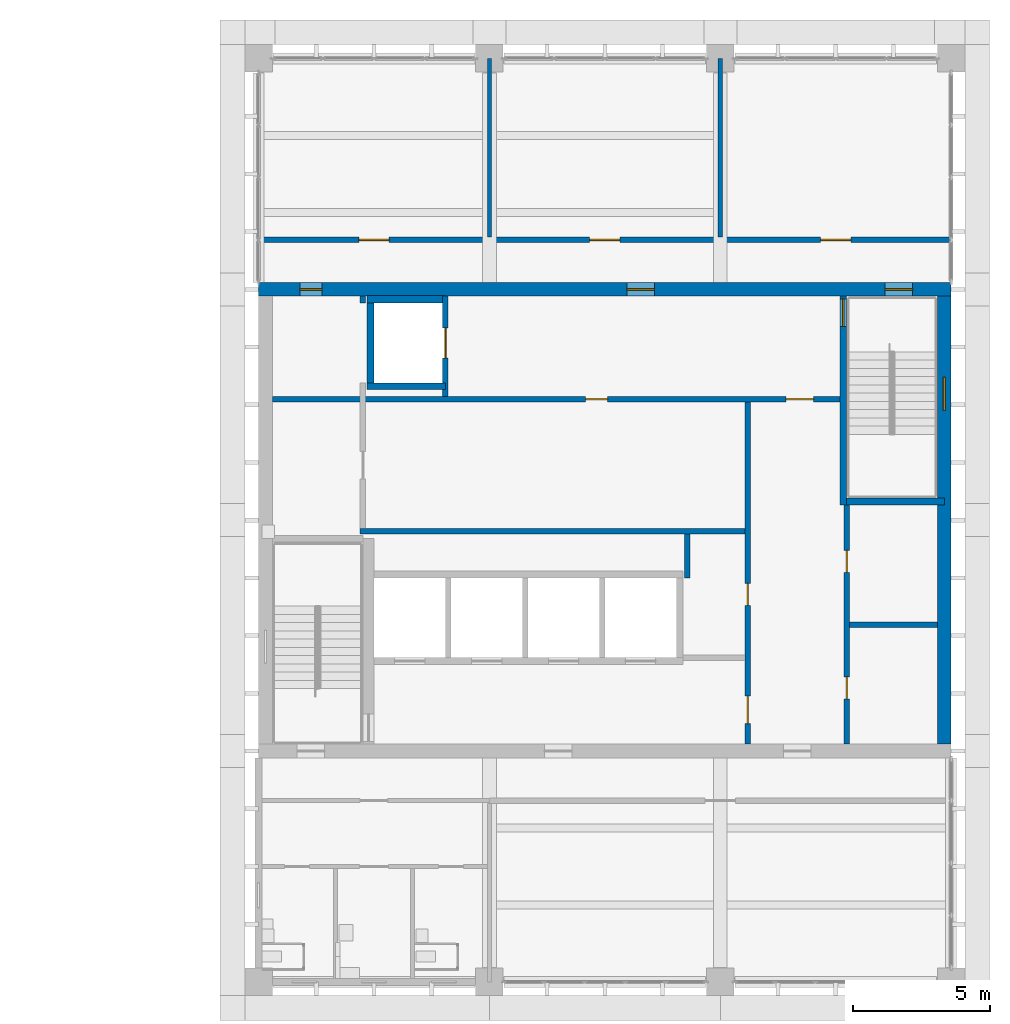
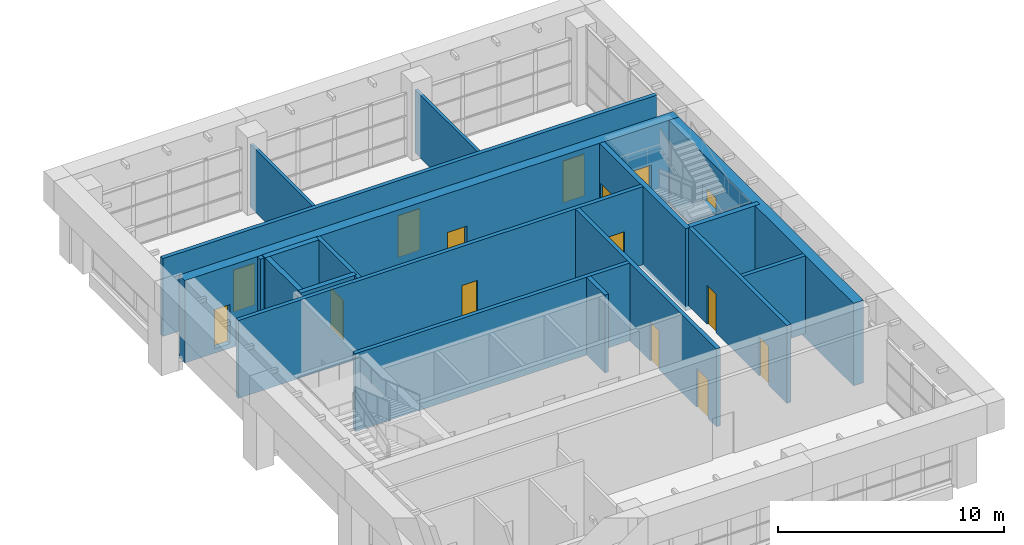
# One storey, part 30 of 56: 18 walls, 14 doors, 1 window, 15 openings.
"""IFC4 building model written with IfcOpenShell, lengths in metres."""

import ifcopenshell
import ifcopenshell.guid

model = None  # the IFC model being written
_history = None  # IfcOwnerHistory: only IFC2X3 demands one
_inside = {}  # id of a spatial element -> (the spatial element, [elements in it])
_under = {}  # id of a project, library or spatial element -> (it, [spatial elements below it])
_declared = {}  # id of a project -> (the project, [libraries it declares])
_typed = {}  # id of a type object -> (the type object, [elements of that type])
_made_of = {}  # id of a material, layer set ... -> (it, [elements and type objects made of it])


def new_model(schema):
    """Start an empty IFC model of exactly this schema.

    Asked for "IFC4X3", IfcOpenShell would pick the latest addendum, in which some entities
    have other attributes; the version numbers below select the first issue.
    IFC2X3 requires an IfcOwnerHistory on every rooted entity: one is made here for all.
    """
    global model, _history
    if schema == "IFC4X3":
        model = ifcopenshell.file(schema_version=(4, 3, 0, 0))
    else:
        model = ifcopenshell.file(schema=schema)
    _inside.clear()
    _under.clear()
    _declared.clear()
    _typed.clear()
    _made_of.clear()
    _history = None
    if model.schema == "IFC2X3":
        org = make("IfcOrganization", Name="unknown")
        user = make(
            "IfcPersonAndOrganization",
            ThePerson=make("IfcPerson", FamilyName="unknown"),
            TheOrganization=org,
        )
        app = make(
            "IfcApplication",
            ApplicationDeveloper=org,
            Version="unknown",
            ApplicationFullName="unknown",
            ApplicationIdentifier="unknown",
        )
        _history = make(
            "IfcOwnerHistory",
            OwningUser=user,
            OwningApplication=app,
            ChangeAction="ADDED",
            CreationDate=0,
        )
    return model


def make(cls, **values):
    """One entity of the class cls with the attributes given. An attribute that is None is left unset."""
    return model.create_entity(
        cls, **{name: value for name, value in values.items() if value is not None}
    )


def rooted(cls, **values):
    """An entity with a GlobalId (a new one), such as an element, a storey or a relation."""
    return make(cls, GlobalId=ifcopenshell.guid.new(), OwnerHistory=_history, **values)


def si_unit(unit_type, name, prefix=None):
    """IfcSIUnit, for example si_unit("LENGTHUNIT", "METRE", prefix="MILLI")."""
    return make("IfcSIUnit", UnitType=unit_type, Prefix=prefix, Name=name)


def assignment(units):
    """IfcUnitAssignment: the units of a project."""
    return None if units is None else make("IfcUnitAssignment", Units=units)


def point(xyz):
    """IfcCartesianPoint."""
    return None if xyz is None else make("IfcCartesianPoint", Coordinates=xyz)


def direction(xyz):
    """IfcDirection."""
    return None if xyz is None else make("IfcDirection", DirectionRatios=xyz)


def frame(location, z_axis=None, x_axis=None):
    """IfcAxis2Placement3D, a coordinate frame: its origin and axes. An axis left out is left unset."""
    return make(
        "IfcAxis2Placement3D",
        Location=point(location),
        Axis=direction(z_axis),
        RefDirection=direction(x_axis),
    )


def frame_2d(location, x_axis=None):
    """IfcAxis2Placement2D, a coordinate frame in the plane: its origin and x axis."""
    return make(
        "IfcAxis2Placement2D", Location=point(location), RefDirection=direction(x_axis)
    )


def origin():
    """The frame at (0, 0, 0) with its axes left unset."""
    return frame((0.0, 0.0, 0.0))


def place(relative_to, where):
    """IfcLocalPlacement: puts the frame where relative to a parent placement (None: the world)."""
    return make(
        "IfcLocalPlacement", PlacementRelTo=relative_to, RelativePlacement=where
    )


def context(
    kind, dimensions, precision=None, world=None, true_north=None, identifier=None
):
    """IfcGeometricRepresentationContext, for example the 3D "Model" context."""
    return make(
        "IfcGeometricRepresentationContext",
        ContextIdentifier=identifier,
        ContextType=kind,
        CoordinateSpaceDimension=dimensions,
        Precision=precision,
        WorldCoordinateSystem=world,
        TrueNorth=true_north,
    )


def subcontext(parent, identifier, kind, view, scale=None):
    """IfcGeometricRepresentationSubContext, for example "Body" below "Model"."""
    return make(
        "IfcGeometricRepresentationSubContext",
        ContextIdentifier=identifier,
        ContextType=kind,
        ParentContext=parent,
        TargetScale=scale,
        TargetView=view,
    )


def project(units=None, contexts=None):
    """IfcProject with its units and contexts."""
    return rooted(
        "IfcProject",
        Name="project",
        RepresentationContexts=contexts,
        UnitsInContext=assignment(units),
    )


def spatial(cls, under=None, at=None, **own):
    """A site, building, storey or space (cls), placed at a placement, below another one or the project."""
    s = rooted(cls, ObjectPlacement=at, **own)
    if under is not None:
        _under.setdefault(under.id(), (under, []))[1].append(s)
    return s


def profile(cls, at=None, kind="AREA", **sizes):
    """A parametric profile (cls). Its sizes go by their IFC names, for example OverallWidth=200.0."""
    return make(cls, ProfileType=kind, Position=at, **sizes)


def rectangle(**sizes):
    """IfcRectangleProfileDef."""
    return profile("IfcRectangleProfileDef", **sizes)


def extrude(swept, where, along, depth):
    """IfcExtrudedAreaSolid: the profile swept, set in the frame where, extruded along a direction by depth."""
    return make(
        "IfcExtrudedAreaSolid",
        SweptArea=swept,
        Position=where,
        ExtrudedDirection=direction(along),
        Depth=depth,
    )


def shape(context_of_items, identifier, shape_type, items):
    """IfcShapeRepresentation: the items that make up one representation, for example the "Body"."""
    return make(
        "IfcShapeRepresentation",
        ContextOfItems=context_of_items,
        RepresentationIdentifier=identifier,
        RepresentationType=shape_type,
        Items=items,
    )


def material(Name=None, Category=None):
    """IfcMaterial."""
    return make("IfcMaterial", Name=Name, Category=Category)


def layer(
    of_material, thickness, ventilated=None, Name=None, Category=None, Priority=None
):
    """IfcMaterialLayer: one layer of a wall or slab, of a material (None: an air gap)."""
    return make(
        "IfcMaterialLayer",
        Material=of_material,
        LayerThickness=thickness,
        IsVentilated=ventilated,
        Name=Name,
        Category=Category,
        Priority=Priority,
    )


def layer_set(layers, Name=None):
    """IfcMaterialLayerSet."""
    return make("IfcMaterialLayerSet", MaterialLayers=layers, LayerSetName=Name)


def made_of(thing, what):
    """Note that an element or type object is made of a material, layer set ...; save() writes the relation."""
    if what is not None:
        _made_of.setdefault(what.id(), (what, []))[1].append(thing)
    return thing


def type_object(cls, material=None, **own):
    """A type object (cls), such as IfcWallType, which elements share."""
    return made_of(rooted(cls, **own), material)


def element(
    cls,
    number,
    at=None,
    inside=None,
    cuts=None,
    type_object=None,
    material=None,
    context=None,
    identifier="Body",
    shape_type=None,
    held_by="IfcProductDefinitionShape",
    body=None,
    shapes=None,
    **own,
):
    """One element of the class cls, such as IfcWall. Its Tag is "e" and its number.

    at: its placement. inside: the storey or other place that contains it. cuts: it is an
    opening in that element (IfcRelVoidsElement). A single representation is given by context,
    identifier, shape_type and body (its items); several are given by shapes. held_by: the class
    of the entity that holds the representations. save() writes the other relations.
    """
    e = rooted(cls, Tag="e%d" % number, ObjectPlacement=at, **own)
    if body is not None:
        shapes = [shape(context, identifier, shape_type, body)]
    if shapes is not None:
        e.Representation = make(held_by, Representations=shapes)
    if inside is not None:
        _inside.setdefault(inside.id(), (inside, []))[1].append(e)
    if cuts is not None:
        rooted(
            "IfcRelVoidsElement", RelatingBuildingElement=cuts, RelatedOpeningElement=e
        )
    if type_object is not None:
        _typed.setdefault(type_object.id(), (type_object, []))[1].append(e)
    return made_of(e, material)


def fill(opening, filler):
    """IfcRelFillsElement: the door or window that sits in an opening."""
    return rooted(
        "IfcRelFillsElement",
        RelatingOpeningElement=opening,
        RelatedBuildingElement=filler,
    )


def aggregate(whole, parts):
    """IfcRelAggregates: a whole, such as a stair, and the parts it consists of."""
    return rooted("IfcRelAggregates", RelatingObject=whole, RelatedObjects=parts)


def save(model, path):
    """Write the relations noted so far, then the file.

    IfcRelAggregates (storeys below a building ...), IfcRelContainedInSpatialStructure (elements
    in a storey), IfcRelDefinesByType, IfcRelAssociatesMaterial and IfcRelDeclares: one each for
    every whole, place, type object, material and project.
    """
    for whole, parts in _under.values():
        aggregate(whole, parts)
    for where, things in _inside.values():
        rooted(
            "IfcRelContainedInSpatialStructure",
            RelatedElements=things,
            RelatingStructure=where,
        )
    for kind, things in _typed.values():
        rooted("IfcRelDefinesByType", RelatedObjects=things, RelatingType=kind)
    for what, things in _made_of.values():
        rooted("IfcRelAssociatesMaterial", RelatedObjects=things, RelatingMaterial=what)
    for by, libraries in _declared.values():
        rooted("IfcRelDeclares", RelatingContext=by, RelatedDefinitions=libraries)
    model.write(path)


model = new_model("IFC4")

# Units and contexts
model_context = context("Model", 3, precision=1e-05, world=origin(), true_north=direction((0.0, 1.0)))
body_context = subcontext(model_context, "Body", "Model", "MODEL_VIEW")
ifc_project = project(units=[si_unit("LENGTHUNIT", "METRE"), si_unit("AREAUNIT", "SQUARE_METRE"), si_unit("VOLUMEUNIT", "CUBIC_METRE"), si_unit("PLANEANGLEUNIT", "RADIAN"), si_unit("MASSUNIT", "GRAM", prefix="KILO")], contexts=[model_context])

# Site, building, storey
site_placement = place(None, origin())
site = spatial("IfcSite", under=ifc_project, at=site_placement, CompositionType="ELEMENT")
building_placement = place(site_placement, origin())
building = spatial("IfcBuilding", under=site, at=building_placement, Name="Rulbaag Community and Learning Centre", CompositionType="ELEMENT")
storey_placement = place(building_placement, frame((0.0, 0.0, 9.89990234375)))
storey = spatial("IfcBuildingStorey", under=building, at=storey_placement, Name="L02", CompositionType="ELEMENT", Elevation=9.89990234375)

# Walls
ifc_material_1 = material(Name="Concrete blockwork", Category="masonry")
ifc_layer_1 = layer(ifc_material_1, 0.199951171875)
ifc_layer_set_1 = layer_set([ifc_layer_1], Name="FW-200 FIRE WALL 200")
wall_type_1 = type_object("IfcWallType", Name="FW-200 FIRE WALL 200", PredefinedType="SOLIDWALL", material=ifc_layer_set_1)
wall_1_placement = place(storey_placement, frame((164.300048828125, 97.0, 0.0), z_axis=(0.0, 0.0, 1.0), x_axis=(1.0, 0.0, 0.0)))
element("IfcWall", 1, at=wall_1_placement, inside=storey, type_object=wall_type_1, Name="Fire wall L02 43", PredefinedType="SOLIDWALL", context=body_context, shape_type="SweptSolid", body=[
    extrude(rectangle(XDim=3.199951171875, YDim=0.199951171875, at=frame_2d((1.60009765625, 0.0))), origin(), (0.0, 0.0, 1.0), 4.2001953125),
])
wall_2_placement = place(storey_placement, frame((146.5, 100.39990234375, 0.0), z_axis=(0.0, 0.0, 1.0), x_axis=(1.0, 0.0, 0.0)))
element("IfcWall", 2, at=wall_2_placement, inside=storey, type_object=wall_type_1, Name="Fire wall L02 45", PredefinedType="SOLIDWALL", context=body_context, shape_type="SweptSolid", body=[
    extrude(rectangle(XDim=14.0, YDim=0.199951171875, at=frame_2d((7.0, 0.0))), origin(), (0.0, 0.0, 1.0), 4.2001953125),
])

# Wall, openings, doors
wall_3_placement = place(storey_placement, frame((143.300048828125, 105.199951171875, 0.0), z_axis=(0.0, 0.0, 1.0), x_axis=(1.0, 0.0, 0.0)))
wall_3 = element("IfcWall", 3, at=wall_3_placement, inside=storey, type_object=wall_type_1, Name="Fire wall L02 46", PredefinedType="SOLIDWALL", context=body_context, shape_type="SweptSolid", body=[
    extrude(rectangle(XDim=20.64990234375, YDim=0.199951171875, at=frame_2d((10.324951171875, 0.0))), origin(), (0.0, 0.0, 1.0), 4.2001953125),
])
opening_1_placement = place(wall_3_placement, frame((11.39990234375, 0.0, 0.0)))
opening_1 = element("IfcOpeningElement", 4, at=opening_1_placement, cuts=wall_3, Name="Opening L02-D106", PredefinedType="OPENING", context=body_context, shape_type="SweptSolid", body=[
    extrude(rectangle(XDim=0.800048828125, YDim=2.10009765625, at=frame_2d((0.39990234375, 1.050048828125))), frame((0.0, 0.10986328125, 0.0), z_axis=(0.0, -1.0, 0.0), x_axis=(1.0, 0.0, 0.0)), (0.0, 0.0, 1.0), 0.219970703125),
])
opening_2_placement = place(wall_3_placement, frame((18.699951171875, 0.0, 0.0)))
opening_2 = element("IfcOpeningElement", 5, at=opening_2_placement, cuts=wall_3, Name="Opening L02-D128", PredefinedType="OPENING", context=body_context, shape_type="SweptSolid", body=[
    extrude(rectangle(XDim=1.0, YDim=2.10009765625, at=frame_2d((0.5, 1.050048828125))), frame((0.0, 0.10986328125, 0.0), z_axis=(0.0, -1.0, 0.0), x_axis=(1.0, 0.0, 0.0)), (0.0, 0.0, 1.0), 0.219970703125),
])
ifc_material_2 = material(Name="Galvanised steel", Category="steel")
door_type_1 = type_object("IfcDoorType", Name="FD-1000 FIRE DOOR 1000 x 2100", OperationType="SINGLE_SWING_LEFT", PredefinedType="DOOR", material=ifc_material_2)
door_1_placement = place(opening_2_placement, origin())
door_1 = element("IfcDoor", 6, at=door_1_placement, inside=storey, type_object=door_type_1, Name="Door L02-D128", OperationType="SINGLE_SWING_LEFT", OverallHeight=2.10009765625, OverallWidth=1.0, PredefinedType="DOOR", context=body_context, shape_type="SweptSolid", body=[
    extrude(rectangle(XDim=1.0, YDim=2.10009765625, at=frame_2d((0.5, 1.050048828125))), frame((0.0, 0.02490234375, 0.0), z_axis=(0.0, -1.0, 0.0), x_axis=(1.0, 0.0, 0.0)), (0.0, 0.0, 1.0), 0.050048828125),
])
fill(opening_2, door_1)
door_type_2 = type_object("IfcDoorType", Name="FDR-800 RISER FIRE DOOR 800 x 2100", OperationType="SINGLE_SWING_LEFT", PredefinedType="DOOR", material=ifc_material_2)
door_2_placement = place(opening_1_placement, origin())
door_2 = element("IfcDoor", 7, at=door_2_placement, inside=storey, type_object=door_type_2, Name="Riser door L02-D087", OperationType="SINGLE_SWING_RIGHT", OverallHeight=2.10009765625, OverallWidth=0.800048828125, PredefinedType="DOOR", context=body_context, shape_type="SweptSolid", body=[
    extrude(rectangle(XDim=0.800048828125, YDim=2.10009765625, at=frame_2d((0.39990234375, 1.050048828125))), frame((0.0, 0.02490234375, 0.0), z_axis=(0.0, -1.0, 0.0), x_axis=(1.0, 0.0, 0.0)), (0.0, 0.0, 1.0), 0.050048828125),
])
fill(opening_1, door_2)

wall_4_placement = place(storey_placement, frame((142.800048828125, 111.0, 0.0), z_axis=(0.0, 0.0, 1.0), x_axis=(1.0, 0.0, 0.0)))
wall_4 = element("IfcWall", 8, at=wall_4_placement, inside=storey, type_object=wall_type_1, Name="Fire wall L02 47", PredefinedType="SOLIDWALL", context=body_context, shape_type="SweptSolid", body=[
    extrude(rectangle(XDim=25.199951171875, YDim=0.199951171875, at=frame_2d((12.60009765625, 0.0))), origin(), (0.0, 0.0, 1.0), 4.2001953125),
])
opening_3_placement = place(wall_4_placement, frame((3.64990234375, 0.0, 0.0)))
opening_3 = element("IfcOpeningElement", 9, at=opening_3_placement, cuts=wall_4, Name="Opening L02-D087", PredefinedType="OPENING", context=body_context, shape_type="SweptSolid", body=[
    extrude(rectangle(XDim=1.10009765625, YDim=2.25, at=frame_2d((0.550048828125, 1.125))), frame((0.0, 0.10986328125, 0.0), z_axis=(0.0, -1.0, 0.0), x_axis=(1.0, 0.0, 0.0)), (0.0, 0.0, 1.0), 0.219970703125),
])
opening_4_placement = place(wall_4_placement, frame((12.050048828125, 0.0, 0.0)))
opening_4 = element("IfcOpeningElement", 10, at=opening_4_placement, cuts=wall_4, Name="Opening L02-D108", PredefinedType="OPENING", context=body_context, shape_type="SweptSolid", body=[
    extrude(rectangle(XDim=1.10009765625, YDim=2.25, at=frame_2d((0.550048828125, 1.125))), frame((0.0, 0.10986328125, 0.0), z_axis=(0.0, -1.0, 0.0), x_axis=(1.0, 0.0, 0.0)), (0.0, 0.0, 1.0), 0.219970703125),
])
opening_5_placement = place(wall_4_placement, frame((20.449951171875, 0.0, 0.0)))
opening_5 = element("IfcOpeningElement", 11, at=opening_5_placement, cuts=wall_4, Name="Opening L02-D132", PredefinedType="OPENING", context=body_context, shape_type="SweptSolid", body=[
    extrude(rectangle(XDim=1.10009765625, YDim=2.25, at=frame_2d((0.550048828125, 1.125))), frame((0.0, 0.10986328125, 0.0), z_axis=(0.0, -1.0, 0.0), x_axis=(1.0, 0.0, 0.0)), (0.0, 0.0, 1.0), 0.219970703125),
])
ifc_material_3 = material(Name="Timber", Category="wood")
door_type_3 = type_object("IfcDoorType", Name="D-1100 OFFICE SUITE ENTRANCE DOOR 1100 x 2250", OperationType="SINGLE_SWING_LEFT", PredefinedType="DOOR", material=ifc_material_3)
door_3_placement = place(opening_3_placement, origin())
door_3 = element("IfcDoor", 12, at=door_3_placement, inside=storey, type_object=door_type_3, Name="Door L02-D087", OperationType="SINGLE_SWING_RIGHT", OverallHeight=2.25, OverallWidth=1.10009765625, PredefinedType="DOOR", context=body_context, shape_type="SweptSolid", body=[
    extrude(rectangle(XDim=1.10009765625, YDim=2.25, at=frame_2d((0.550048828125, 1.125))), frame((0.0, 0.02490234375, 0.0), z_axis=(0.0, -1.0, 0.0), x_axis=(1.0, 0.0, 0.0)), (0.0, 0.0, 1.0), 0.050048828125),
])
fill(opening_3, door_3)
door_4_placement = place(opening_4_placement, origin())
door_4 = element("IfcDoor", 13, at=door_4_placement, inside=storey, type_object=door_type_3, Name="Door L02-D108", OperationType="SINGLE_SWING_RIGHT", OverallHeight=2.25, OverallWidth=1.10009765625, PredefinedType="DOOR", context=body_context, shape_type="SweptSolid", body=[
    extrude(rectangle(XDim=1.10009765625, YDim=2.25, at=frame_2d((0.550048828125, 1.125))), frame((0.0, 0.02490234375, 0.0), z_axis=(0.0, -1.0, 0.0), x_axis=(1.0, 0.0, 0.0)), (0.0, 0.0, 1.0), 0.050048828125),
])
fill(opening_4, door_4)
door_5_placement = place(opening_5_placement, origin())
door_5 = element("IfcDoor", 14, at=door_5_placement, inside=storey, type_object=door_type_3, Name="Door L02-D132", OperationType="SINGLE_SWING_LEFT", OverallHeight=2.25, OverallWidth=1.10009765625, PredefinedType="DOOR", context=body_context, shape_type="SweptSolid", body=[
    extrude(rectangle(XDim=1.10009765625, YDim=2.25, at=frame_2d((0.550048828125, 1.125))), frame((0.0, 0.02490234375, 0.0), z_axis=(0.0, -1.0, 0.0), x_axis=(1.0, 0.0, 0.0)), (0.0, 0.0, 1.0), 0.050048828125),
])
fill(opening_5, door_5)

# Wall
wall_5_placement = place(storey_placement, frame((146.60009765625, 108.699951171875, 0.0), z_axis=(0.0, 0.0, 1.0), x_axis=(0.0, 1.0, 0.0)))
element("IfcWall", 15, at=wall_5_placement, inside=storey, type_object=wall_type_1, Name="Fire wall L02 74", PredefinedType="SOLIDWALL", context=body_context, shape_type="SweptSolid", body=[
    extrude(rectangle(XDim=0.25, YDim=0.199951171875, at=frame_2d((0.125, 0.0))), origin(), (0.0, 0.0, 1.0), 4.2001953125),
])

# Wall, opening, door
wall_6_placement = place(storey_placement, frame((149.60009765625, 105.300048828125, 0.0), z_axis=(0.0, 0.0, 1.0), x_axis=(0.0, 1.0, 0.0)))
wall_6 = element("IfcWall", 16, at=wall_6_placement, inside=storey, type_object=wall_type_1, Name="Fire wall L02 76", PredefinedType="SOLIDWALL", context=body_context, shape_type="SweptSolid", body=[
    extrude(rectangle(XDim=3.64990234375, YDim=0.199951171875, at=frame_2d((1.824951171875, 0.0))), origin(), (0.0, 0.0, 1.0), 4.2001953125),
])
opening_6_placement = place(wall_6_placement, frame((1.39990234375, 0.0, 0.0)))
opening_6 = element("IfcOpeningElement", 17, at=opening_6_placement, cuts=wall_6, Name="Opening L02-D089", PredefinedType="OPENING", context=body_context, shape_type="SweptSolid", body=[
    extrude(rectangle(XDim=1.10009765625, YDim=2.10009765625, at=frame_2d((0.550048828125, 1.050048828125))), frame((0.0, 0.10986328125, 0.0), z_axis=(0.0, -1.0, 0.0), x_axis=(1.0, 0.0, 0.0)), (0.0, 0.0, 1.0), 0.219970703125),
])
ifc_material_4 = material(Name="Stainless steel grade 304", Category="steel")
door_type_4 = type_object("IfcDoorType", Name="LD-1100 LIFT LANDING DOOR 1100 x 2100", OperationType="SLIDING_TO_LEFT", PredefinedType="DOOR", material=ifc_material_4)
door_6_placement = place(opening_6_placement, origin())
door_6 = element("IfcDoor", 18, at=door_6_placement, inside=storey, type_object=door_type_4, Name="Lift landing door LF1 L02", OperationType="SLIDING_TO_LEFT", OverallHeight=2.10009765625, OverallWidth=1.10009765625, PredefinedType="DOOR", context=body_context, shape_type="SweptSolid", body=[
    extrude(rectangle(XDim=1.10009765625, YDim=2.10009765625, at=frame_2d((0.550048828125, 1.050048828125))), frame((0.0, 0.02490234375, 0.0), z_axis=(0.0, -1.0, 0.0), x_axis=(1.0, 0.0, 0.0)), (0.0, 0.0, 1.0), 0.050048828125),
])
fill(opening_6, door_6)

# Wall
wall_7_placement = place(storey_placement, frame((158.39990234375, 98.699951171875, 0.0), z_axis=(0.0, 0.0, 1.0), x_axis=(0.0, 1.0, 0.0)))
element("IfcWall", 19, at=wall_7_placement, inside=storey, type_object=wall_type_1, Name="Fire wall L02 83", PredefinedType="SOLIDWALL", context=body_context, shape_type="SweptSolid", body=[
    extrude(rectangle(XDim=1.60009765625, YDim=0.199951171875, at=frame_2d((0.800048828125, 0.0))), origin(), (0.0, 0.0, 1.0), 4.2001953125),
])

# Wall, openings, doors
wall_8_placement = place(storey_placement, frame((160.60009765625, 92.64990234375, 0.0), z_axis=(0.0, 0.0, 1.0), x_axis=(0.0, 1.0, 0.0)))
wall_8 = element("IfcWall", 20, at=wall_8_placement, inside=storey, type_object=wall_type_1, Name="Fire wall L02 85", PredefinedType="SOLIDWALL", context=body_context, shape_type="SweptSolid", body=[
    extrude(rectangle(XDim=12.4501953125, YDim=0.199951171875, at=frame_2d((6.22509765625, 0.0))), origin(), (0.0, 0.0, 1.0), 4.2001953125),
])
opening_7_placement = place(wall_8_placement, frame((5.050048828125, 0.0, 0.0)))
opening_7 = element("IfcOpeningElement", 21, at=opening_7_placement, cuts=wall_8, Name="Opening L02-D124", PredefinedType="OPENING", context=body_context, shape_type="SweptSolid", body=[
    extrude(rectangle(XDim=0.800048828125, YDim=2.10009765625, at=frame_2d((0.39990234375, 1.050048828125))), frame((0.0, 0.10986328125, 0.0), z_axis=(0.0, -1.0, 0.0), x_axis=(1.0, 0.0, 0.0)), (0.0, 0.0, 1.0), 0.219970703125),
])
opening_8_placement = place(wall_8_placement, frame((0.75, 0.0, 0.0)))
opening_8 = element("IfcOpeningElement", 22, at=opening_8_placement, cuts=wall_8, Name="Opening L02-D123", PredefinedType="OPENING", context=body_context, shape_type="SweptSolid", body=[
    extrude(rectangle(XDim=1.0, YDim=2.10009765625, at=frame_2d((0.5, 1.050048828125))), frame((0.0, 0.10986328125, 0.0), z_axis=(0.0, -1.0, 0.0), x_axis=(1.0, 0.0, 0.0)), (0.0, 0.0, 1.0), 0.219970703125),
])
door_7_placement = place(opening_8_placement, origin())
door_7 = element("IfcDoor", 23, at=door_7_placement, inside=storey, type_object=door_type_1, Name="Door L02-D123", OperationType="SINGLE_SWING_LEFT", OverallHeight=2.10009765625, OverallWidth=1.0, PredefinedType="DOOR", context=body_context, shape_type="SweptSolid", body=[
    extrude(rectangle(XDim=1.0, YDim=2.10009765625, at=frame_2d((0.5, 1.050048828125))), frame((0.0, 0.02490234375, 0.0), z_axis=(0.0, -1.0, 0.0), x_axis=(1.0, 0.0, 0.0)), (0.0, 0.0, 1.0), 0.050048828125),
])
fill(opening_8, door_7)
door_8_placement = place(opening_7_placement, origin())
door_8 = element("IfcDoor", 24, at=door_8_placement, inside=storey, type_object=door_type_2, Name="Riser door L02-D086", OperationType="SINGLE_SWING_RIGHT", OverallHeight=2.10009765625, OverallWidth=0.800048828125, PredefinedType="DOOR", context=body_context, shape_type="SweptSolid", body=[
    extrude(rectangle(XDim=0.800048828125, YDim=2.10009765625, at=frame_2d((0.39990234375, 1.050048828125))), frame((0.0, 0.02490234375, 0.0), z_axis=(0.0, -1.0, 0.0), x_axis=(1.0, 0.0, 0.0)), (0.0, 0.0, 1.0), 0.050048828125),
])
fill(opening_7, door_8)

wall_9_placement = place(storey_placement, frame((164.199951171875, 92.64990234375, 0.0), z_axis=(0.0, 0.0, 1.0), x_axis=(0.0, 1.0, 0.0)))
wall_9 = element("IfcWall", 25, at=wall_9_placement, inside=storey, type_object=wall_type_1, Name="Fire wall L02 88", PredefinedType="SOLIDWALL", context=body_context, shape_type="SweptSolid", body=[
    extrude(rectangle(XDim=8.7001953125, YDim=0.199951171875, at=frame_2d((4.35009765625, 0.0))), origin(), (0.0, 0.0, 1.0), 4.2001953125),
])
opening_9_placement = place(wall_9_placement, frame((1.64990234375, 0.0, 0.0)))
opening_9 = element("IfcOpeningElement", 26, at=opening_9_placement, cuts=wall_9, Name="Opening L02-D134", PredefinedType="OPENING", context=body_context, shape_type="SweptSolid", body=[
    extrude(rectangle(XDim=0.800048828125, YDim=2.10009765625, at=frame_2d((0.39990234375, 1.050048828125))), frame((0.0, 0.10986328125, 0.0), z_axis=(0.0, -1.0, 0.0), x_axis=(1.0, 0.0, 0.0)), (0.0, 0.0, 1.0), 0.219970703125),
])
opening_10_placement = place(wall_9_placement, frame((6.25, 0.0, 0.0)))
opening_10 = element("IfcOpeningElement", 27, at=opening_10_placement, cuts=wall_9, Name="Opening L02-D135", PredefinedType="OPENING", context=body_context, shape_type="SweptSolid", body=[
    extrude(rectangle(XDim=0.800048828125, YDim=2.10009765625, at=frame_2d((0.39990234375, 1.050048828125))), frame((0.0, 0.10986328125, 0.0), z_axis=(0.0, -1.0, 0.0), x_axis=(1.0, 0.0, 0.0)), (0.0, 0.0, 1.0), 0.219970703125),
])
door_9_placement = place(opening_9_placement, origin())
door_9 = element("IfcDoor", 28, at=door_9_placement, inside=storey, type_object=door_type_2, Name="Riser door L02-D084", OperationType="SINGLE_SWING_LEFT", OverallHeight=2.10009765625, OverallWidth=0.800048828125, PredefinedType="DOOR", context=body_context, shape_type="SweptSolid", body=[
    extrude(rectangle(XDim=0.800048828125, YDim=2.10009765625, at=frame_2d((0.39990234375, 1.050048828125))), frame((0.0, 0.02490234375, 0.0), z_axis=(0.0, -1.0, 0.0), x_axis=(1.0, 0.0, 0.0)), (0.0, 0.0, 1.0), 0.050048828125),
])
fill(opening_9, door_9)
door_10_placement = place(opening_10_placement, origin())
door_10 = element("IfcDoor", 29, at=door_10_placement, inside=storey, type_object=door_type_2, Name="Riser door L02-D085", OperationType="SINGLE_SWING_RIGHT", OverallHeight=2.10009765625, OverallWidth=0.800048828125, PredefinedType="DOOR", context=body_context, shape_type="SweptSolid", body=[
    extrude(rectangle(XDim=0.800048828125, YDim=2.10009765625, at=frame_2d((0.39990234375, 1.050048828125))), frame((0.0, 0.02490234375, 0.0), z_axis=(0.0, -1.0, 0.0), x_axis=(1.0, 0.0, 0.0)), (0.0, 0.0, 1.0), 0.050048828125),
])
fill(opening_10, door_10)

# Walls
ifc_layer_2 = layer(ifc_material_1, 0.14990234375)
ifc_layer_set_2 = layer_set([ifc_layer_2], Name="IP-150 PARTITION 150")
wall_type_2 = type_object("IfcWallType", Name="IP-150 PARTITION 150", PredefinedType="PARTITIONING", material=ifc_layer_set_2)
for number, where, z_axis, x_axis, name in (
    (30, (151.199951171875, 111.10009765625, 0.0), (0.0, 0.0, 1.0), (0.0, 1.0, 0.0), "Partition L02 81"),
    (31, (159.60009765625, 111.10009765625, 0.0), (0.0, 0.0, 1.0), (0.0, 1.0, 0.0), "Partition L02 84"),
):
    element("IfcWall", number, at=place(storey_placement, frame(where, z_axis=z_axis, x_axis=x_axis)), inside=storey, type_object=wall_type_2, Name=name, PredefinedType="PARTITIONING", context=body_context, shape_type="SweptSolid", body=[
        extrude(rectangle(XDim=6.5, YDim=0.14990234375, at=frame_2d((3.25, 0.0))), origin(), (0.0, 0.0, 1.0), 3.400146484375),
    ])
ifc_material_5 = material(Name="Concrete M40", Category="concrete")
ifc_layer_3 = layer(ifc_material_5, 0.27490234375)
ifc_layer_set_3 = layer_set([ifc_layer_3], Name="W16 Shaft wall 275 Concrete M40")
wall_type_3 = type_object("IfcWallType", Name="W16 Shaft wall 275 Concrete M40", PredefinedType="SHEAR", material=ifc_layer_set_3)
wall_10_placement = place(storey_placement, frame((146.75, 108.83740234375, -0.25), z_axis=(0.0, 0.0, 1.0), x_axis=(1.0, 0.0, 0.0)))
element("IfcWall", 32, at=wall_10_placement, inside=storey, type_object=wall_type_3, Name="WL-LF-N-L02", PredefinedType="SHEAR", context=body_context, shape_type="SweptSolid", body=[
    extrude(rectangle(XDim=2.85009765625, YDim=0.27490234375, at=frame_2d((1.425048828125, 0.0))), origin(), (0.0, 0.0, 1.0), 4.4501953125),
])

# Wall, openings, doors
ifc_material_6 = material(Name="Concrete M60", Category="concrete")
ifc_layer_4 = layer(ifc_material_6, 0.5)
ifc_layer_set_4 = layer_set([ifc_layer_4], Name="W4 Core wall 500 Concrete M60")
wall_type_4 = type_object("IfcWallType", Name="W4 Core wall 500 Concrete M60", PredefinedType="SHEAR", material=ifc_layer_set_4)
wall_11_placement = place(storey_placement, frame((142.800048828125, 109.199951171875, -0.25), z_axis=(0.0, 0.0, 1.0), x_axis=(1.0, 0.0, 0.0)))
wall_11 = element("IfcWall", 33, at=wall_11_placement, inside=storey, type_object=wall_type_4, Name="WL-CORE-N-L02", PredefinedType="SHEAR", context=body_context, shape_type="SweptSolid", body=[
    extrude(rectangle(XDim=25.199951171875, YDim=0.5, at=frame_2d((12.60009765625, 0.0))), origin(), (0.0, 0.0, 1.0), 4.4501953125),
])
opening_11_placement = place(wall_11_placement, frame((22.800048828125, 0.0, 0.25)))
opening_11 = element("IfcOpeningElement", 34, at=opening_11_placement, cuts=wall_11, Name="Opening L02-D138", PredefinedType="OPENING", context=body_context, shape_type="SweptSolid", body=[
    extrude(rectangle(XDim=1.0, YDim=2.10009765625, at=frame_2d((0.5, 1.050048828125))), frame((0.0, 0.260009765625, 0.0), z_axis=(0.0, -1.0, 0.0), x_axis=(1.0, 0.0, 0.0)), (0.0, 0.0, 1.0), 0.52001953125),
])
opening_12_placement = place(wall_11_placement, frame((1.5, 0.0, 0.25)))
opening_12 = element("IfcOpeningElement", 35, at=opening_12_placement, cuts=wall_11, Name="Opening L02-D082", PredefinedType="OPENING", context=body_context, shape_type="SweptSolid", body=[
    extrude(rectangle(XDim=0.800048828125, YDim=2.10009765625, at=frame_2d((0.39990234375, 1.050048828125))), frame((0.0, 0.260009765625, 0.0), z_axis=(0.0, -1.0, 0.0), x_axis=(1.0, 0.0, 0.0)), (0.0, 0.0, 1.0), 0.52001953125),
])
opening_13_placement = place(wall_11_placement, frame((13.39990234375, 0.0, 0.25)))
opening_13 = element("IfcOpeningElement", 36, at=opening_13_placement, cuts=wall_11, Name="Opening L02-D110", PredefinedType="OPENING", context=body_context, shape_type="SweptSolid", body=[
    extrude(rectangle(XDim=1.0, YDim=2.10009765625, at=frame_2d((0.5, 1.050048828125))), frame((0.0, 0.260009765625, 0.0), z_axis=(0.0, -1.0, 0.0), x_axis=(1.0, 0.0, 0.0)), (0.0, 0.0, 1.0), 0.52001953125),
])
door_11_placement = place(opening_11_placement, origin())
door_11 = element("IfcDoor", 37, at=door_11_placement, inside=storey, type_object=door_type_1, Name="Door L02-D138", OperationType="SINGLE_SWING_LEFT", OverallHeight=2.10009765625, OverallWidth=1.0, PredefinedType="DOOR", context=body_context, shape_type="SweptSolid", body=[
    extrude(rectangle(XDim=1.0, YDim=2.10009765625, at=frame_2d((0.5, 1.050048828125))), frame((0.0, 0.02490234375, 0.0), z_axis=(0.0, -1.0, 0.0), x_axis=(1.0, 0.0, 0.0)), (0.0, 0.0, 1.0), 0.050048828125),
])
fill(opening_11, door_11)
door_12_placement = place(opening_13_placement, origin())
door_12 = element("IfcDoor", 38, at=door_12_placement, inside=storey, type_object=door_type_1, Name="Door L02-D110", OperationType="SINGLE_SWING_LEFT", OverallHeight=2.10009765625, OverallWidth=1.0, PredefinedType="DOOR", context=body_context, shape_type="SweptSolid", body=[
    extrude(rectangle(XDim=1.0, YDim=2.10009765625, at=frame_2d((0.5, 1.050048828125))), frame((0.0, 0.02490234375, 0.0), z_axis=(0.0, -1.0, 0.0), x_axis=(1.0, 0.0, 0.0)), (0.0, 0.0, 1.0), 0.050048828125),
])
fill(opening_13, door_12)
door_13_placement = place(opening_12_placement, origin())
door_13 = element("IfcDoor", 39, at=door_13_placement, inside=storey, type_object=door_type_2, Name="Riser door L02-D089", OperationType="SINGLE_SWING_LEFT", OverallHeight=2.10009765625, OverallWidth=0.800048828125, PredefinedType="DOOR", context=body_context, shape_type="SweptSolid", body=[
    extrude(rectangle(XDim=0.800048828125, YDim=2.10009765625, at=frame_2d((0.39990234375, 1.050048828125))), frame((0.0, 0.02490234375, 0.0), z_axis=(0.0, -1.0, 0.0), x_axis=(1.0, 0.0, 0.0)), (0.0, 0.0, 1.0), 0.050048828125),
])
fill(opening_12, door_13)

# Wall, opening, window
wall_12_placement = place(storey_placement, frame((167.75, 92.64990234375, -0.25), z_axis=(0.0, 0.0, 1.0), x_axis=(0.0, 1.0, 0.0)))
wall_12 = element("IfcWall", 40, at=wall_12_placement, inside=storey, type_object=wall_type_4, Name="WL-CORE-E-L02", PredefinedType="SHEAR", context=body_context, shape_type="SweptSolid", body=[
    extrude(rectangle(XDim=16.300048828125, YDim=0.5, at=frame_2d((8.14990234375, 0.0))), origin(), (0.0, 0.0, 1.0), 4.4501953125),
])
opening_14_placement = place(wall_12_placement, frame((12.14990234375, 0.0, 1.85009765625)))
opening_14 = element("IfcOpeningElement", 41, at=opening_14_placement, cuts=wall_12, Name="Opening WN19", PredefinedType="OPENING", context=body_context, shape_type="SweptSolid", body=[
    extrude(rectangle(XDim=1.199951171875, YDim=0.89990234375, at=frame_2d((0.60009765625, 0.449951171875))), frame((0.0, 0.260009765625, 0.0), z_axis=(0.0, -1.0, 0.0), x_axis=(1.0, 0.0, 0.0)), (0.0, 0.0, 1.0), 0.52001953125),
])
ifc_material_7 = material(Name="Aluminium", Category="aluminium")
window_type = type_object("IfcWindowType", Name="WS-12", PartitioningType="SINGLE_PANEL", PredefinedType="WINDOW", material=ifc_material_7)
window_placement = place(opening_14_placement, origin())
window = element("IfcWindow", 42, at=window_placement, inside=storey, type_object=window_type, Name="Stair window", OverallHeight=0.89990234375, OverallWidth=1.199951171875, PartitioningType="SINGLE_PANEL", PredefinedType="WINDOW", context=body_context, shape_type="SweptSolid", body=[
    extrude(rectangle(XDim=1.199951171875, YDim=0.89990234375, at=frame_2d((0.60009765625, 0.449951171875))), frame((0.0, 0.030029296875, 0.0), z_axis=(0.0, -1.0, 0.0), x_axis=(1.0, 0.0, 0.0)), (0.0, 0.0, 1.0), 0.06005859375),
])
fill(opening_14, window)

# Wall, opening, door
ifc_layer_5 = layer(ifc_material_5, 0.25)
ifc_layer_set_5 = layer_set([ifc_layer_5], Name="W5 Shaft wall 250 Concrete M40")
wall_type_5 = type_object("IfcWallType", Name="W5 Shaft wall 250 Concrete M40", PredefinedType="SHEAR", material=ifc_layer_set_5)
wall_13_placement = place(storey_placement, frame((164.074951171875, 101.35009765625, -0.25), z_axis=(0.0, 0.0, 1.0), x_axis=(0.0, 1.0, 0.0)))
wall_13 = element("IfcWall", 43, at=wall_13_placement, inside=storey, type_object=wall_type_5, Name="WL-ST2-W-L02", PredefinedType="SHEAR", context=body_context, shape_type="SweptSolid", body=[
    extrude(rectangle(XDim=7.599853515625, YDim=0.25, at=frame_2d((3.7998046875, 0.0))), origin(), (0.0, 0.0, 1.0), 4.4501953125),
])
opening_15_placement = place(wall_13_placement, frame((6.5, 0.0, 0.25)))
opening_15 = element("IfcOpeningElement", 44, at=opening_15_placement, cuts=wall_13, Name="Opening L02-D133", PredefinedType="OPENING", context=body_context, shape_type="SweptSolid", body=[
    extrude(rectangle(XDim=1.0, YDim=2.10009765625, at=frame_2d((0.5, 1.050048828125))), frame((0.0, 0.135009765625, 0.0), z_axis=(0.0, -1.0, 0.0), x_axis=(1.0, 0.0, 0.0)), (0.0, 0.0, 1.0), 0.27001953125),
])
door_14_placement = place(opening_15_placement, origin())
door_14 = element("IfcDoor", 45, at=door_14_placement, inside=storey, type_object=door_type_1, Name="Door L02-D133", OperationType="SINGLE_SWING_LEFT", OverallHeight=2.10009765625, OverallWidth=1.0, PredefinedType="DOOR", context=body_context, shape_type="SweptSolid", body=[
    extrude(rectangle(XDim=1.0, YDim=2.10009765625, at=frame_2d((0.5, 1.050048828125))), frame((0.0, 0.02490234375, 0.0), z_axis=(0.0, -1.0, 0.0), x_axis=(1.0, 0.0, 0.0)), (0.0, 0.0, 1.0), 0.050048828125),
])
fill(opening_15, door_14)

# Walls
wall_14_placement = place(storey_placement, frame((164.199951171875, 101.47509765625, -0.25), z_axis=(0.0, 0.0, 1.0), x_axis=(1.0, 0.0, 0.0)))
element("IfcWall", 46, at=wall_14_placement, inside=storey, type_object=wall_type_5, Name="WL-ST2-S-L02", PredefinedType="SHEAR", context=body_context, shape_type="SweptSolid", body=[
    extrude(rectangle(XDim=3.550048828125, YDim=0.25, at=frame_2d((1.77490234375, 0.0))), origin(), (0.0, 0.0, 1.0), 4.4501953125),
])
wall_15_placement = place(storey_placement, frame((146.75, 105.675048828125, -0.25), z_axis=(0.0, 0.0, 1.0), x_axis=(1.0, 0.0, 0.0)))
element("IfcWall", 47, at=wall_15_placement, inside=storey, type_object=wall_type_5, Name="WL-LF-S-L02", PredefinedType="SHEAR", context=body_context, shape_type="SweptSolid", body=[
    extrude(rectangle(XDim=2.85009765625, YDim=0.25, at=frame_2d((1.425048828125, 0.0))), origin(), (0.0, 0.0, 1.0), 4.4501953125),
])
wall_16_placement = place(storey_placement, frame((146.875, 105.800048828125, -0.25), z_axis=(0.0, 0.0, 1.0), x_axis=(0.0, 1.0, 0.0)))
element("IfcWall", 48, at=wall_16_placement, inside=storey, type_object=wall_type_5, Name="WL-LF-W-L02", PredefinedType="SHEAR", context=body_context, shape_type="SweptSolid", body=[
    extrude(rectangle(XDim=2.89990234375, YDim=0.25, at=frame_2d((1.449951171875, 0.0))), origin(), (0.0, 0.0, 1.0), 4.4501953125),
])

save(model, "model.ifc")
